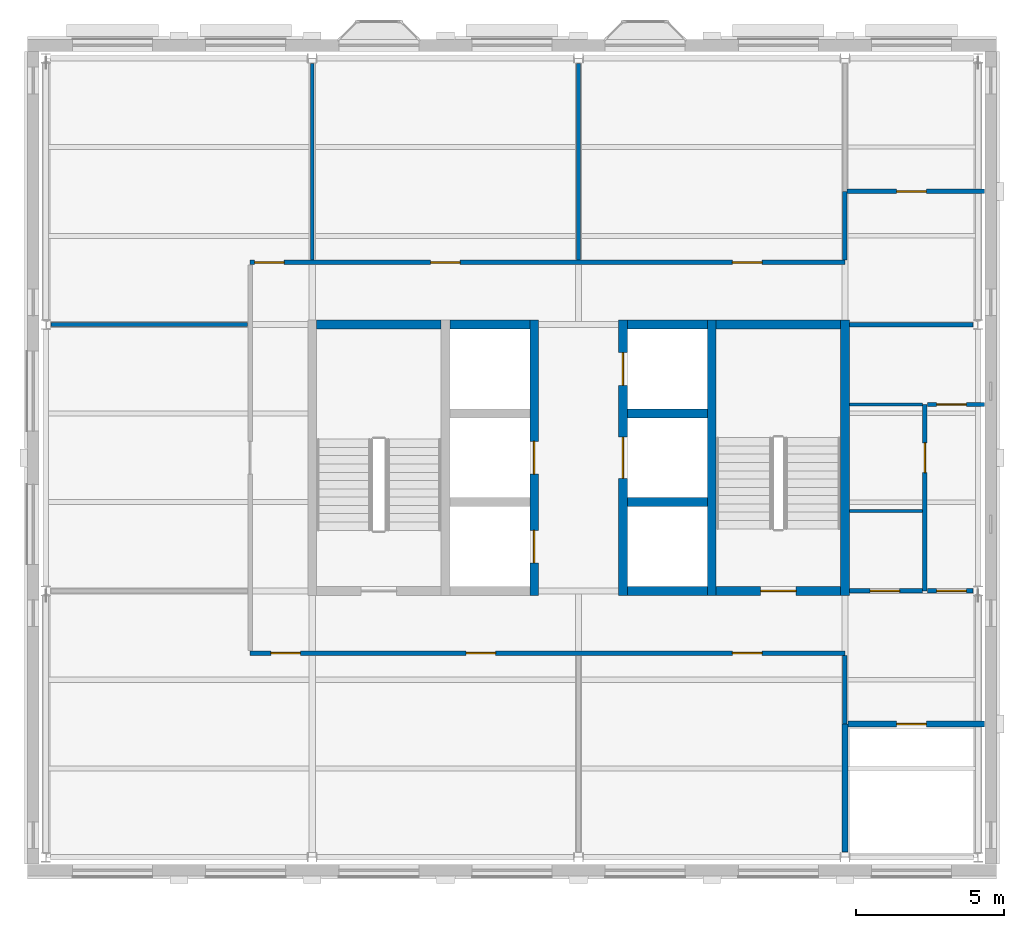
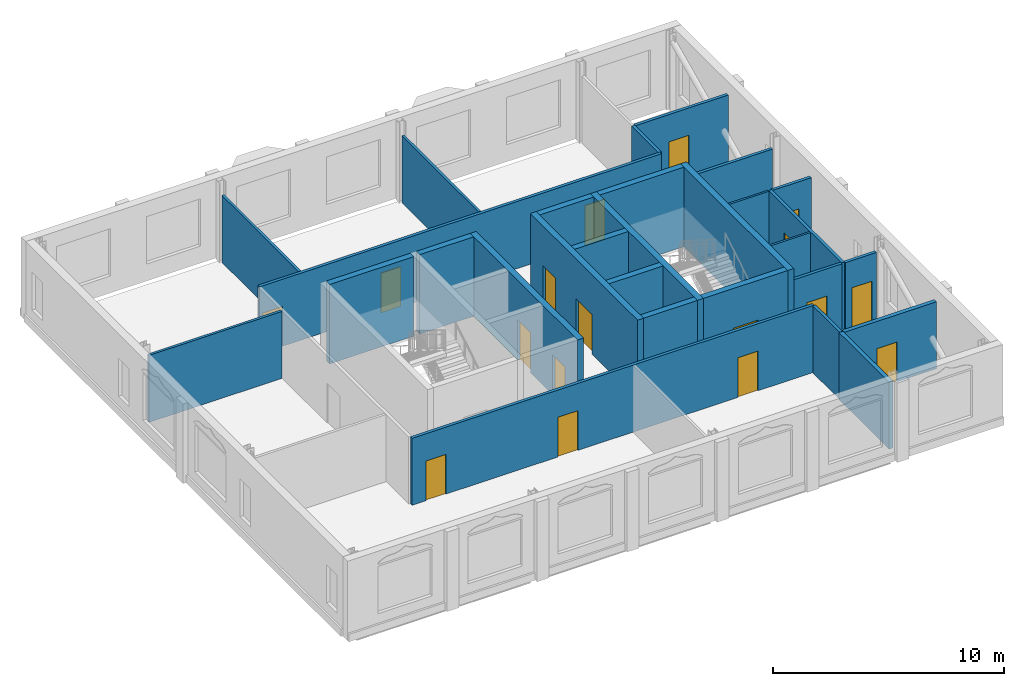
# One storey, part 4 of 9: 29 walls, 17 doors, 17 openings.
"""IFC4 building model written with IfcOpenShell, lengths in metres."""

from ifc_helpers import new_model, si_unit, direction, frame, frame_2d, origin, place, context, subcontext, project, spatial, rectangle, extrude, material, layer, layer_set, type_object, element, fill, save


model = new_model("IFC4")

# Units and contexts
model_context = context("Model", 3, precision=1e-05, world=origin(), true_north=direction((0.0, 1.0)))
body_context = subcontext(model_context, "Body", "Model", "MODEL_VIEW")
ifc_project = project(units=[si_unit("LENGTHUNIT", "METRE"), si_unit("AREAUNIT", "SQUARE_METRE"), si_unit("VOLUMEUNIT", "CUBIC_METRE"), si_unit("PLANEANGLEUNIT", "RADIAN"), si_unit("MASSUNIT", "GRAM", prefix="KILO")], contexts=[model_context])

# Site, building, storey
site_placement = place(None, origin())
site = spatial("IfcSite", under=ifc_project, at=site_placement, CompositionType="ELEMENT")
building_placement = place(site_placement, origin())
building = spatial("IfcBuilding", under=site, at=building_placement, Name="Hortulan Conservatory and Botanical Research Centre", CompositionType="ELEMENT")
storey_placement = place(building_placement, frame((0.0, 0.0, 48.60009765625)))
storey = spatial("IfcBuildingStorey", under=building, at=storey_placement, Name="L11", CompositionType="ELEMENT", Elevation=48.60009765625)

# Wall
ifc_material_1 = material(Name="Fire-rated plasterboard on steel studs", Category="steel")
ifc_layer_1 = layer(ifc_material_1, 0.199951171875)
ifc_layer_set_1 = layer_set([ifc_layer_1], Name="Compartment Partition 200")
wall_type_1 = type_object("IfcWallType", Name="Compartment Partition 200", PredefinedType="PARTITIONING", material=ifc_layer_set_1)
wall_1_placement = place(storey_placement, frame((27.0, 0.17041015625, 0.0), z_axis=(0.0, 0.0, 1.0), x_axis=(0.0, 1.0, 0.0)))
element("IfcWall", 1, at=wall_1_placement, inside=storey, type_object=wall_type_1, Name="Riser wall", PredefinedType="PARTITIONING", context=body_context, shape_type="SweptSolid", body=[
    extrude(rectangle(XDim=4.32958984375, YDim=0.199951171875, at=frame_2d((2.164794921875, 0.0))), origin(), (0.0, 0.0, 1.0), 3.5419921875),
])

# Wall, opening, door
wall_2_placement = place(storey_placement, frame((27.110107421875, 4.5, 0.0), z_axis=(0.0, 0.0, 1.0), x_axis=(1.0, 0.0, 0.0)))
wall_2 = element("IfcWall", 2, at=wall_2_placement, inside=storey, type_object=wall_type_1, Name="Riser wall", PredefinedType="PARTITIONING", context=body_context, shape_type="SweptSolid", body=[
    extrude(rectangle(XDim=4.60498046875, YDim=0.199951171875, at=frame_2d((2.302490234375, 0.0))), origin(), (0.0, 0.0, 1.0), 3.5419921875),
])
opening_1_placement = place(wall_2_placement, frame((1.639892578125, 0.0, 0.0)))
opening_1 = element("IfcOpeningElement", 3, at=opening_1_placement, cuts=wall_2, Name="Opening DT6", PredefinedType="OPENING", context=body_context, shape_type="SweptSolid", body=[
    extrude(rectangle(XDim=1.0, YDim=2.10009765625, at=frame_2d((0.5, 1.050048828125))), frame((0.0, 0.10986328125, 0.0), z_axis=(0.0, -1.0, 0.0), x_axis=(1.0, 0.0, 0.0)), (0.0, 0.0, 1.0), 0.219970703125),
])
ifc_material_2 = material(Name="Steel door leaf, insulated", Category="steel")
door_type_1 = type_object("IfcDoorType", Name="Fire Door 1000x2100 FRL -/120/30", OperationType="NOTDEFINED", PredefinedType="DOOR", material=ifc_material_2)
door_1_placement = place(opening_1_placement, frame((1.0, 0.0, 0.0), z_axis=(0.0, 0.0, 1.0), x_axis=(-1.0, 0.0, 0.0)))
door_1 = element("IfcDoor", 4, at=door_1_placement, inside=storey, type_object=door_type_1, Name="Door DT6 Services Riser", OperationType="SINGLE_SWING_LEFT", OverallHeight=2.10009765625, OverallWidth=1.0, PredefinedType="DOOR", context=body_context, shape_type="SweptSolid", body=[
    extrude(rectangle(XDim=1.0, YDim=2.10009765625, at=frame_2d((0.5, 1.050048828125))), frame((0.0, 0.02490234375, 0.0), z_axis=(0.0, -1.0, 0.0), x_axis=(1.0, 0.0, 0.0)), (0.0, 0.0, 1.0), 0.050048828125),
])
fill(opening_1, door_1)

# Wall, openings, doors
ifc_material_3 = material(Name="Concrete N40 (40 MPa, AS 3600)", Category="concrete")
ifc_layer_2 = layer(ifc_material_3, 0.300048828125)
ifc_layer_set_2 = layer_set([ifc_layer_2], Name="Core Wall 300 N40 FRL 240/120/120")
wall_type_2 = type_object("IfcWallType", Name="Core Wall 300 N40 FRL 240/120/120", PredefinedType="SHEAR", material=ifc_layer_set_2)
wall_3_placement = place(storey_placement, frame((16.5, 8.85009765625, 0.0), z_axis=(0.0, 0.0, 1.0), x_axis=(0.0, 1.0, 0.0)))
wall_3 = element("IfcWall", 5, at=wall_3_placement, inside=storey, type_object=wall_type_2, Name="Reinforced concrete shaft wall", PredefinedType="SHEAR", context=body_context, shape_type="SweptSolid", body=[
    extrude(rectangle(XDim=9.2998046875, YDim=0.300048828125, at=frame_2d((4.64990234375, 0.0))), origin(), (0.0, 0.0, 1.0), 4.199951171875),
])
opening_2_placement = place(wall_3_placement, frame((1.10009765625, 0.0, 0.0)))
opening_2 = element("IfcOpeningElement", 6, at=opening_2_placement, cuts=wall_3, Name="Opening LD1", PredefinedType="OPENING", context=body_context, shape_type="SweptSolid", body=[
    extrude(rectangle(XDim=1.10009765625, YDim=2.10009765625, at=frame_2d((0.550048828125, 1.050048828125))), frame((0.0, 0.159912109375, 0.0), z_axis=(0.0, -1.0, 0.0), x_axis=(1.0, 0.0, 0.0)), (0.0, 0.0, 1.0), 0.320068359375),
])
opening_3_placement = place(wall_3_placement, frame((4.10009765625, 0.0, 0.0)))
opening_3 = element("IfcOpeningElement", 7, at=opening_3_placement, cuts=wall_3, Name="Opening LD1", PredefinedType="OPENING", context=body_context, shape_type="SweptSolid", body=[
    extrude(rectangle(XDim=1.10009765625, YDim=2.10009765625, at=frame_2d((0.550048828125, 1.050048828125))), frame((0.0, 0.159912109375, 0.0), z_axis=(0.0, -1.0, 0.0), x_axis=(1.0, 0.0, 0.0)), (0.0, 0.0, 1.0), 0.320068359375),
])
ifc_material_4 = material(Name="Stainless steel door leaves in steel frame", Category="steel")
door_type_2 = type_object("IfcDoorType", Name="Lift Landing Door 1100x2100", OperationType="DOUBLE_DOOR_SLIDING", PredefinedType="DOOR", material=ifc_material_4)
door_2_placement = place(opening_2_placement, origin())
door_2 = element("IfcDoor", 8, at=door_2_placement, inside=storey, type_object=door_type_2, Name="Lift LP1 landing door L11", OperationType="DOUBLE_DOOR_SLIDING", OverallHeight=2.10009765625, OverallWidth=1.10009765625, PredefinedType="DOOR", context=body_context, shape_type="SweptSolid", body=[
    extrude(rectangle(XDim=1.10009765625, YDim=2.10009765625, at=frame_2d((0.550048828125, 1.050048828125))), frame((0.0, 0.02490234375, 0.0), z_axis=(0.0, -1.0, 0.0), x_axis=(1.0, 0.0, 0.0)), (0.0, 0.0, 1.0), 0.050048828125),
])
fill(opening_2, door_2)
door_3_placement = place(opening_3_placement, origin())
door_3 = element("IfcDoor", 9, at=door_3_placement, inside=storey, type_object=door_type_2, Name="Lift LP2 landing door L11", OperationType="DOUBLE_DOOR_SLIDING", OverallHeight=2.10009765625, OverallWidth=1.10009765625, PredefinedType="DOOR", context=body_context, shape_type="SweptSolid", body=[
    extrude(rectangle(XDim=1.10009765625, YDim=2.10009765625, at=frame_2d((0.550048828125, 1.050048828125))), frame((0.0, 0.02490234375, 0.0), z_axis=(0.0, -1.0, 0.0), x_axis=(1.0, 0.0, 0.0)), (0.0, 0.0, 1.0), 0.050048828125),
])
fill(opening_3, door_3)

wall_4_placement = place(storey_placement, frame((19.5, 8.85009765625, 0.0), z_axis=(0.0, 0.0, 1.0), x_axis=(0.0, 1.0, 0.0)))
wall_4 = element("IfcWall", 10, at=wall_4_placement, inside=storey, type_object=wall_type_2, Name="Reinforced concrete shaft wall", PredefinedType="SHEAR", context=body_context, shape_type="SweptSolid", body=[
    extrude(rectangle(XDim=9.2998046875, YDim=0.300048828125, at=frame_2d((4.64990234375, 0.0))), origin(), (0.0, 0.0, 1.0), 4.199951171875),
])
opening_4_placement = place(wall_4_placement, frame((3.949951171875, 0.0, 0.0)))
opening_4 = element("IfcOpeningElement", 11, at=opening_4_placement, cuts=wall_4, Name="Opening LD2", PredefinedType="OPENING", context=body_context, shape_type="SweptSolid", body=[
    extrude(rectangle(XDim=1.39990234375, YDim=2.10009765625, at=frame_2d((0.699951171875, 1.050048828125))), frame((0.0, 0.159912109375, 0.0), z_axis=(0.0, -1.0, 0.0), x_axis=(1.0, 0.0, 0.0)), (0.0, 0.0, 1.0), 0.320068359375),
])
opening_5_placement = place(wall_4_placement, frame((7.10009765625, 0.0, 0.0)))
opening_5 = element("IfcOpeningElement", 12, at=opening_5_placement, cuts=wall_4, Name="Opening LD1", PredefinedType="OPENING", context=body_context, shape_type="SweptSolid", body=[
    extrude(rectangle(XDim=1.10009765625, YDim=2.10009765625, at=frame_2d((0.550048828125, 1.050048828125))), frame((0.0, 0.159912109375, 0.0), z_axis=(0.0, -1.0, 0.0), x_axis=(1.0, 0.0, 0.0)), (0.0, 0.0, 1.0), 0.320068359375),
])
door_4_placement = place(opening_5_placement, origin())
door_4 = element("IfcDoor", 13, at=door_4_placement, inside=storey, type_object=door_type_2, Name="Lift LF1 landing door L11", OperationType="DOUBLE_DOOR_SLIDING", OverallHeight=2.10009765625, OverallWidth=1.10009765625, PredefinedType="DOOR", context=body_context, shape_type="SweptSolid", body=[
    extrude(rectangle(XDim=1.10009765625, YDim=2.10009765625, at=frame_2d((0.550048828125, 1.050048828125))), frame((0.0, 0.02490234375, 0.0), z_axis=(0.0, -1.0, 0.0), x_axis=(1.0, 0.0, 0.0)), (0.0, 0.0, 1.0), 0.050048828125),
])
fill(opening_5, door_4)
door_type_3 = type_object("IfcDoorType", Name="Lift Landing Door 1400x2100", OperationType="DOUBLE_DOOR_SLIDING", PredefinedType="DOOR", material=ifc_material_4)
door_5_placement = place(opening_4_placement, origin())
door_5 = element("IfcDoor", 14, at=door_5_placement, inside=storey, type_object=door_type_3, Name="Lift LG1 landing door L11", OperationType="DOUBLE_DOOR_SLIDING", OverallHeight=2.10009765625, OverallWidth=1.39990234375, PredefinedType="DOOR", context=body_context, shape_type="SweptSolid", body=[
    extrude(rectangle(XDim=1.39990234375, YDim=2.10009765625, at=frame_2d((0.699951171875, 1.050048828125))), frame((0.0, 0.02490234375, 0.0), z_axis=(0.0, -1.0, 0.0), x_axis=(1.0, 0.0, 0.0)), (0.0, 0.0, 1.0), 0.050048828125),
])
fill(opening_4, door_5)

# Walls
for number, where, z_axis, x_axis, name in (
    (15, (22.5, 8.85009765625, 0.0), (0.0, 0.0, 1.0), (0.0, 1.0, 0.0), "Reinforced concrete shaft wall"),
    (16, (27.0, 8.85009765625, 0.0), (0.0, 0.0, 1.0), (0.0, 1.0, 0.0), "Reinforced concrete shaft wall"),
):
    element("IfcWall", number, at=place(storey_placement, frame(where, z_axis=z_axis, x_axis=x_axis)), inside=storey, type_object=wall_type_2, Name=name, PredefinedType="SHEAR", context=body_context, shape_type="SweptSolid", body=[
        extrude(rectangle(XDim=9.2998046875, YDim=0.300048828125, at=frame_2d((4.64990234375, 0.0))), origin(), (0.0, 0.0, 1.0), 4.199951171875),
    ])
wall_5_placement = place(storey_placement, frame((19.64990234375, 9.0, 0.0), z_axis=(0.0, 0.0, 1.0), x_axis=(1.0, 0.0, 0.0)))
element("IfcWall", 17, at=wall_5_placement, inside=storey, type_object=wall_type_2, Name="Reinforced concrete shaft wall", PredefinedType="SHEAR", context=body_context, shape_type="SweptSolid", body=[
    extrude(rectangle(XDim=2.7001953125, YDim=0.300048828125, at=frame_2d((1.35009765625, 0.0))), origin(), (0.0, 0.0, 1.0), 4.199951171875),
])

# Wall, opening, door
wall_6_placement = place(storey_placement, frame((22.64990234375, 9.0, 0.0), z_axis=(0.0, 0.0, 1.0), x_axis=(1.0, 0.0, 0.0)))
wall_6 = element("IfcWall", 18, at=wall_6_placement, inside=storey, type_object=wall_type_2, Name="Reinforced concrete shaft wall", PredefinedType="SHEAR", context=body_context, shape_type="SweptSolid", body=[
    extrude(rectangle(XDim=4.2001953125, YDim=0.300048828125, at=frame_2d((2.10009765625, 0.0))), origin(), (0.0, 0.0, 1.0), 4.199951171875),
])
opening_6_placement = place(wall_6_placement, frame((1.5, 0.0, 0.0)))
opening_6 = element("IfcOpeningElement", 19, at=opening_6_placement, cuts=wall_6, Name="Opening DT5", PredefinedType="OPENING", context=body_context, shape_type="SweptSolid", body=[
    extrude(rectangle(XDim=1.199951171875, YDim=2.10009765625, at=frame_2d((0.60009765625, 1.050048828125))), frame((0.0, 0.159912109375, 0.0), z_axis=(0.0, -1.0, 0.0), x_axis=(1.0, 0.0, 0.0)), (0.0, 0.0, 1.0), 0.320068359375),
])
door_type_4 = type_object("IfcDoorType", Name="Stair Door 1200x2100 FRL -/120/30", OperationType="NOTDEFINED", PredefinedType="DOOR", material=ifc_material_2)
door_6_placement = place(opening_6_placement, origin())
door_6 = element("IfcDoor", 20, at=door_6_placement, inside=storey, type_object=door_type_4, Name="Door DT5 Exit Stair T2", OperationType="SINGLE_SWING_LEFT", OverallHeight=2.10009765625, OverallWidth=1.199951171875, PredefinedType="DOOR", context=body_context, shape_type="SweptSolid", body=[
    extrude(rectangle(XDim=1.199951171875, YDim=2.10009765625, at=frame_2d((0.60009765625, 1.050048828125))), frame((0.0, 0.02490234375, 0.0), z_axis=(0.0, -1.0, 0.0), x_axis=(1.0, 0.0, 0.0)), (0.0, 0.0, 1.0), 0.050048828125),
])
fill(opening_6, door_6)

# Walls
for number, where, z_axis, x_axis, name in (
    (21, (19.64990234375, 12.0, 0.0), (0.0, 0.0, 1.0), (1.0, 0.0, 0.0), "Reinforced concrete shaft wall"),
    (22, (19.64990234375, 15.0, 0.0), (0.0, 0.0, 1.0), (1.0, 0.0, 0.0), "Reinforced concrete shaft wall"),
):
    element("IfcWall", number, at=place(storey_placement, frame(where, z_axis=z_axis, x_axis=x_axis)), inside=storey, type_object=wall_type_2, Name=name, PredefinedType="SHEAR", context=body_context, shape_type="SweptSolid", body=[
        extrude(rectangle(XDim=2.7001953125, YDim=0.300048828125, at=frame_2d((1.35009765625, 0.0))), origin(), (0.0, 0.0, 1.0), 4.199951171875),
    ])
wall_7_placement = place(storey_placement, frame((9.14990234375, 18.0, 0.0), z_axis=(0.0, 0.0, 1.0), x_axis=(1.0, 0.0, 0.0)))
element("IfcWall", 23, at=wall_7_placement, inside=storey, type_object=wall_type_2, Name="Reinforced concrete shaft wall", PredefinedType="SHEAR", context=body_context, shape_type="SweptSolid", body=[
    extrude(rectangle(XDim=4.2001953125, YDim=0.300048828125, at=frame_2d((2.10009765625, 0.0))), origin(), (0.0, 0.0, 1.0), 4.199951171875),
])
for number, where, z_axis, x_axis, name in (
    (24, (13.64990234375, 18.0, 0.0), (0.0, 0.0, 1.0), (1.0, 0.0, 0.0), "Reinforced concrete shaft wall"),
    (25, (19.64990234375, 18.0, 0.0), (0.0, 0.0, 1.0), (1.0, 0.0, 0.0), "Reinforced concrete shaft wall"),
):
    element("IfcWall", number, at=place(storey_placement, frame(where, z_axis=z_axis, x_axis=x_axis)), inside=storey, type_object=wall_type_2, Name=name, PredefinedType="SHEAR", context=body_context, shape_type="SweptSolid", body=[
        extrude(rectangle(XDim=2.7001953125, YDim=0.300048828125, at=frame_2d((1.35009765625, 0.0))), origin(), (0.0, 0.0, 1.0), 4.199951171875),
    ])
wall_8_placement = place(storey_placement, frame((22.64990234375, 18.0, 0.0), z_axis=(0.0, 0.0, 1.0), x_axis=(1.0, 0.0, 0.0)))
element("IfcWall", 26, at=wall_8_placement, inside=storey, type_object=wall_type_2, Name="Reinforced concrete shaft wall", PredefinedType="SHEAR", context=body_context, shape_type="SweptSolid", body=[
    extrude(rectangle(XDim=4.2001953125, YDim=0.300048828125, at=frame_2d((2.10009765625, 0.0))), origin(), (0.0, 0.0, 1.0), 4.199951171875),
])
ifc_material_5 = material(Name="Plasterboard on steel studs", Category="steel")
ifc_layer_3 = layer(ifc_material_5, 0.14990234375)
ifc_layer_set_3 = layer_set([ifc_layer_3], Name="Corridor Partition 150")
wall_type_3 = type_object("IfcWallType", Name="Corridor Partition 150", PredefinedType="PARTITIONING", material=ifc_layer_set_3)
for number, where, z_axis, x_axis, name in (
    (27, (27.0, 4.510009765625, 0.0), (0.0, 0.0, 1.0), (0.0, 1.0, 0.0), "Corridor partition"),
    (28, (27.0, 20.18505859375, 0.0), (0.0, 0.0, 1.0), (0.0, 1.0, 0.0), "Corridor partition"),
):
    element("IfcWall", number, at=place(storey_placement, frame(where, z_axis=z_axis, x_axis=x_axis)), inside=storey, type_object=wall_type_3, Name=name, PredefinedType="PARTITIONING", context=body_context, shape_type="SweptSolid", body=[
        extrude(rectangle(XDim=2.304931640625, YDim=0.14990234375, at=frame_2d((1.15234375, 0.0))), origin(), (0.0, 0.0, 1.0), 3.5419921875),
    ])

# Wall, openings, doors
wall_9_placement = place(storey_placement, frame((6.89990234375, 6.89990234375, 0.0), z_axis=(0.0, 0.0, 1.0), x_axis=(1.0, 0.0, 0.0)))
wall_9 = element("IfcWall", 29, at=wall_9_placement, inside=storey, type_object=wall_type_3, Name="Corridor partition", PredefinedType="PARTITIONING", context=body_context, shape_type="SweptSolid", body=[
    extrude(rectangle(XDim=20.10009765625, YDim=0.14990234375, at=frame_2d((10.050048828125, 0.0))), origin(), (0.0, 0.0, 1.0), 3.5419921875),
])
opening_7_placement = place(wall_9_placement, frame((0.699951171875, 0.0, 0.0)))
opening_7 = element("IfcOpeningElement", 30, at=opening_7_placement, cuts=wall_9, Name="Opening DT1", PredefinedType="OPENING", context=body_context, shape_type="SweptSolid", body=[
    extrude(rectangle(XDim=1.0, YDim=2.10009765625, at=frame_2d((0.5, 1.050048828125))), frame((0.0, 0.0849609375, 0.0), z_axis=(0.0, -1.0, 0.0), x_axis=(1.0, 0.0, 0.0)), (0.0, 0.0, 1.0), 0.169921875),
])
opening_8_placement = place(wall_9_placement, frame((7.300048828125, 0.0, 0.0)))
opening_8 = element("IfcOpeningElement", 31, at=opening_8_placement, cuts=wall_9, Name="Opening DT1", PredefinedType="OPENING", context=body_context, shape_type="SweptSolid", body=[
    extrude(rectangle(XDim=1.0, YDim=2.10009765625, at=frame_2d((0.5, 1.050048828125))), frame((0.0, 0.0849609375, 0.0), z_axis=(0.0, -1.0, 0.0), x_axis=(1.0, 0.0, 0.0)), (0.0, 0.0, 1.0), 0.169921875),
])
opening_9_placement = place(wall_9_placement, frame((16.300048828125, 0.0, 0.0)))
opening_9 = element("IfcOpeningElement", 32, at=opening_9_placement, cuts=wall_9, Name="Opening DT1", PredefinedType="OPENING", context=body_context, shape_type="SweptSolid", body=[
    extrude(rectangle(XDim=1.0, YDim=2.10009765625, at=frame_2d((0.5, 1.050048828125))), frame((0.0, 0.0849609375, 0.0), z_axis=(0.0, -1.0, 0.0), x_axis=(1.0, 0.0, 0.0)), (0.0, 0.0, 1.0), 0.169921875),
])
ifc_material_6 = material(Name="Timber door leaf in timber frame", Category="wood")
door_type_5 = type_object("IfcDoorType", Name="Single Door 1000x2100", OperationType="NOTDEFINED", PredefinedType="DOOR", material=ifc_material_6)
door_7_placement = place(opening_7_placement, frame((1.0, 0.0, 0.0), z_axis=(0.0, 0.0, 1.0), x_axis=(-1.0, 0.0, 0.0)))
door_7 = element("IfcDoor", 33, at=door_7_placement, inside=storey, type_object=door_type_5, Name="Door DT1 Botanical Library Reading Room", OperationType="SINGLE_SWING_RIGHT", OverallHeight=2.10009765625, OverallWidth=1.0, PredefinedType="DOOR", context=body_context, shape_type="SweptSolid", body=[
    extrude(rectangle(XDim=1.0, YDim=2.10009765625, at=frame_2d((0.5, 1.050048828125))), frame((0.0, 0.02490234375, 0.0), z_axis=(0.0, -1.0, 0.0), x_axis=(1.0, 0.0, 0.0)), (0.0, 0.0, 1.0), 0.050048828125),
])
fill(opening_7, door_7)
door_8_placement = place(opening_8_placement, frame((1.0, 0.0, 0.0), z_axis=(0.0, 0.0, 1.0), x_axis=(-1.0, 0.0, 0.0)))
door_8 = element("IfcDoor", 34, at=door_8_placement, inside=storey, type_object=door_type_5, Name="Door DT1 Botanical Library Reading Room", OperationType="SINGLE_SWING_LEFT", OverallHeight=2.10009765625, OverallWidth=1.0, PredefinedType="DOOR", context=body_context, shape_type="SweptSolid", body=[
    extrude(rectangle(XDim=1.0, YDim=2.10009765625, at=frame_2d((0.5, 1.050048828125))), frame((0.0, 0.02490234375, 0.0), z_axis=(0.0, -1.0, 0.0), x_axis=(1.0, 0.0, 0.0)), (0.0, 0.0, 1.0), 0.050048828125),
])
fill(opening_8, door_8)
door_9_placement = place(opening_9_placement, frame((1.0, 0.0, 0.0), z_axis=(0.0, 0.0, 1.0), x_axis=(-1.0, 0.0, 0.0)))
door_9 = element("IfcDoor", 35, at=door_9_placement, inside=storey, type_object=door_type_5, Name="Door DT1 Library Stack Room", OperationType="SINGLE_SWING_RIGHT", OverallHeight=2.10009765625, OverallWidth=1.0, PredefinedType="DOOR", context=body_context, shape_type="SweptSolid", body=[
    extrude(rectangle(XDim=1.0, YDim=2.10009765625, at=frame_2d((0.5, 1.050048828125))), frame((0.0, 0.02490234375, 0.0), z_axis=(0.0, -1.0, 0.0), x_axis=(1.0, 0.0, 0.0)), (0.0, 0.0, 1.0), 0.050048828125),
])
fill(opening_9, door_9)

# Wall, opening, door
wall_10_placement = place(storey_placement, frame((27.159912109375, 9.0, 0.0), z_axis=(0.0, 0.0, 1.0), x_axis=(1.0, 0.0, 0.0)))
wall_10 = element("IfcWall", 36, at=wall_10_placement, inside=storey, type_object=wall_type_3, Name="Corridor partition", PredefinedType="PARTITIONING", context=body_context, shape_type="SweptSolid", body=[
    extrude(rectangle(XDim=2.455078125, YDim=0.14990234375, at=frame_2d((1.2275390625, 0.0))), origin(), (0.0, 0.0, 1.0), 3.5419921875),
])
opening_10_placement = place(wall_10_placement, frame((0.68994140625, 0.0, 0.0)))
opening_10 = element("IfcOpeningElement", 37, at=opening_10_placement, cuts=wall_10, Name="Opening DT1", PredefinedType="OPENING", context=body_context, shape_type="SweptSolid", body=[
    extrude(rectangle(XDim=1.0, YDim=2.10009765625, at=frame_2d((0.5, 1.050048828125))), frame((0.0, 0.0849609375, 0.0), z_axis=(0.0, -1.0, 0.0), x_axis=(1.0, 0.0, 0.0)), (0.0, 0.0, 1.0), 0.169921875),
])
door_10_placement = place(opening_10_placement, origin())
door_10 = element("IfcDoor", 38, at=door_10_placement, inside=storey, type_object=door_type_5, Name="Door DT1 Accessible WC", OperationType="SINGLE_SWING_RIGHT", OverallHeight=2.10009765625, OverallWidth=1.0, PredefinedType="DOOR", context=body_context, shape_type="SweptSolid", body=[
    extrude(rectangle(XDim=1.0, YDim=2.10009765625, at=frame_2d((0.5, 1.050048828125))), frame((0.0, 0.02490234375, 0.0), z_axis=(0.0, -1.0, 0.0), x_axis=(1.0, 0.0, 0.0)), (0.0, 0.0, 1.0), 0.050048828125),
])
fill(opening_10, door_10)

# Wall
wall_11_placement = place(storey_placement, frame((27.159912109375, 18.0, 0.0), z_axis=(0.0, 0.0, 1.0), x_axis=(1.0, 0.0, 0.0)))
element("IfcWall", 39, at=wall_11_placement, inside=storey, type_object=wall_type_3, Name="Corridor partition", PredefinedType="PARTITIONING", context=body_context, shape_type="SweptSolid", body=[
    extrude(rectangle(XDim=4.175537109375, YDim=0.14990234375, at=frame_2d((2.087890625, 0.0))), origin(), (0.0, 0.0, 1.0), 3.5419921875),
])

# Wall, openings, doors
wall_12_placement = place(storey_placement, frame((6.89990234375, 20.10009765625, 0.0), z_axis=(0.0, 0.0, 1.0), x_axis=(1.0, 0.0, 0.0)))
wall_12 = element("IfcWall", 40, at=wall_12_placement, inside=storey, type_object=wall_type_3, Name="Corridor partition", PredefinedType="PARTITIONING", context=body_context, shape_type="SweptSolid", body=[
    extrude(rectangle(XDim=20.10009765625, YDim=0.14990234375, at=frame_2d((10.050048828125, 0.0))), origin(), (0.0, 0.0, 1.0), 3.5419921875),
])
opening_11_placement = place(wall_12_placement, frame((0.14990234375, 0.0, 0.0)))
opening_11 = element("IfcOpeningElement", 41, at=opening_11_placement, cuts=wall_12, Name="Opening DT1", PredefinedType="OPENING", context=body_context, shape_type="SweptSolid", body=[
    extrude(rectangle(XDim=1.0, YDim=2.10009765625, at=frame_2d((0.5, 1.050048828125))), frame((0.0, 0.0849609375, 0.0), z_axis=(0.0, -1.0, 0.0), x_axis=(1.0, 0.0, 0.0)), (0.0, 0.0, 1.0), 0.169921875),
])
opening_12_placement = place(wall_12_placement, frame((6.10009765625, 0.0, 0.0)))
opening_12 = element("IfcOpeningElement", 42, at=opening_12_placement, cuts=wall_12, Name="Opening DT1", PredefinedType="OPENING", context=body_context, shape_type="SweptSolid", body=[
    extrude(rectangle(XDim=1.0, YDim=2.10009765625, at=frame_2d((0.5, 1.050048828125))), frame((0.0, 0.0849609375, 0.0), z_axis=(0.0, -1.0, 0.0), x_axis=(1.0, 0.0, 0.0)), (0.0, 0.0, 1.0), 0.169921875),
])
opening_13_placement = place(wall_12_placement, frame((16.300048828125, 0.0, 0.0)))
opening_13 = element("IfcOpeningElement", 43, at=opening_13_placement, cuts=wall_12, Name="Opening DT1", PredefinedType="OPENING", context=body_context, shape_type="SweptSolid", body=[
    extrude(rectangle(XDim=1.0, YDim=2.10009765625, at=frame_2d((0.5, 1.050048828125))), frame((0.0, 0.0849609375, 0.0), z_axis=(0.0, -1.0, 0.0), x_axis=(1.0, 0.0, 0.0)), (0.0, 0.0, 1.0), 0.169921875),
])
door_11_placement = place(opening_11_placement, origin())
door_11 = element("IfcDoor", 44, at=door_11_placement, inside=storey, type_object=door_type_5, Name="Door DT1 Rare Books Reading Room", OperationType="SINGLE_SWING_RIGHT", OverallHeight=2.10009765625, OverallWidth=1.0, PredefinedType="DOOR", context=body_context, shape_type="SweptSolid", body=[
    extrude(rectangle(XDim=1.0, YDim=2.10009765625, at=frame_2d((0.5, 1.050048828125))), frame((0.0, 0.02490234375, 0.0), z_axis=(0.0, -1.0, 0.0), x_axis=(1.0, 0.0, 0.0)), (0.0, 0.0, 1.0), 0.050048828125),
])
fill(opening_11, door_11)
door_12_placement = place(opening_12_placement, origin())
door_12 = element("IfcDoor", 45, at=door_12_placement, inside=storey, type_object=door_type_5, Name="Door DT1 Periodicals Room", OperationType="SINGLE_SWING_LEFT", OverallHeight=2.10009765625, OverallWidth=1.0, PredefinedType="DOOR", context=body_context, shape_type="SweptSolid", body=[
    extrude(rectangle(XDim=1.0, YDim=2.10009765625, at=frame_2d((0.5, 1.050048828125))), frame((0.0, 0.02490234375, 0.0), z_axis=(0.0, -1.0, 0.0), x_axis=(1.0, 0.0, 0.0)), (0.0, 0.0, 1.0), 0.050048828125),
])
fill(opening_12, door_12)
door_13_placement = place(opening_13_placement, origin())
door_13 = element("IfcDoor", 46, at=door_13_placement, inside=storey, type_object=door_type_5, Name="Door DT1 Botanical Archive Reading Room", OperationType="SINGLE_SWING_RIGHT", OverallHeight=2.10009765625, OverallWidth=1.0, PredefinedType="DOOR", context=body_context, shape_type="SweptSolid", body=[
    extrude(rectangle(XDim=1.0, YDim=2.10009765625, at=frame_2d((0.5, 1.050048828125))), frame((0.0, 0.02490234375, 0.0), z_axis=(0.0, -1.0, 0.0), x_axis=(1.0, 0.0, 0.0)), (0.0, 0.0, 1.0), 0.050048828125),
])
fill(opening_13, door_13)

# Wall, opening, door
wall_13_placement = place(storey_placement, frame((27.072509765625, 22.5, 0.0), z_axis=(0.0, 0.0, 1.0), x_axis=(1.0, 0.0, 0.0)))
wall_13 = element("IfcWall", 47, at=wall_13_placement, inside=storey, type_object=wall_type_3, Name="Corridor partition", PredefinedType="PARTITIONING", context=body_context, shape_type="SweptSolid", body=[
    extrude(rectangle(XDim=4.642578125, YDim=0.14990234375, at=frame_2d((2.3212890625, 0.0))), origin(), (0.0, 0.0, 1.0), 3.5419921875),
])
opening_14_placement = place(wall_13_placement, frame((1.677490234375, 0.0, 0.0)))
opening_14 = element("IfcOpeningElement", 48, at=opening_14_placement, cuts=wall_13, Name="Opening DT1", PredefinedType="OPENING", context=body_context, shape_type="SweptSolid", body=[
    extrude(rectangle(XDim=1.0, YDim=2.10009765625, at=frame_2d((0.5, 1.050048828125))), frame((0.0, 0.0849609375, 0.0), z_axis=(0.0, -1.0, 0.0), x_axis=(1.0, 0.0, 0.0)), (0.0, 0.0, 1.0), 0.169921875),
])
door_14_placement = place(opening_14_placement, origin())
door_14 = element("IfcDoor", 49, at=door_14_placement, inside=storey, type_object=door_type_5, Name="Door DT1 Library Office", OperationType="SINGLE_SWING_RIGHT", OverallHeight=2.10009765625, OverallWidth=1.0, PredefinedType="DOOR", context=body_context, shape_type="SweptSolid", body=[
    extrude(rectangle(XDim=1.0, YDim=2.10009765625, at=frame_2d((0.5, 1.050048828125))), frame((0.0, 0.02490234375, 0.0), z_axis=(0.0, -1.0, 0.0), x_axis=(1.0, 0.0, 0.0)), (0.0, 0.0, 1.0), 0.050048828125),
])
fill(opening_14, door_14)

ifc_layer_4 = layer(ifc_material_1, 0.14990234375)
ifc_layer_set_4 = layer_set([ifc_layer_4], Name="Lobby Partition 150")
wall_type_4 = type_object("IfcWallType", Name="Lobby Partition 150", PredefinedType="PARTITIONING", material=ifc_layer_set_4)
wall_14_placement = place(storey_placement, frame((29.699951171875, 9.0, 0.0), z_axis=(0.0, 0.0, 1.0), x_axis=(0.0, 1.0, 0.0)))
wall_14 = element("IfcWall", 50, at=wall_14_placement, inside=storey, type_object=wall_type_4, Name="Lobby partition", PredefinedType="PARTITIONING", context=body_context, shape_type="SweptSolid", body=[
    extrude(rectangle(XDim=6.300048828125, YDim=0.14990234375, at=frame_2d((3.14990234375, 0.0))), origin(), (0.0, 0.0, 1.0), 3.5419921875),
])
opening_15_placement = place(wall_14_placement, frame((4.0, 0.0, 0.0)))
opening_15 = element("IfcOpeningElement", 51, at=opening_15_placement, cuts=wall_14, Name="Opening DT4", PredefinedType="OPENING", context=body_context, shape_type="SweptSolid", body=[
    extrude(rectangle(XDim=1.0, YDim=2.10009765625, at=frame_2d((0.5, 1.050048828125))), frame((0.0, 0.0849609375, 0.0), z_axis=(0.0, -1.0, 0.0), x_axis=(1.0, 0.0, 0.0)), (0.0, 0.0, 1.0), 0.169921875),
])
door_type_6 = type_object("IfcDoorType", Name="Fire Door 1000x2100 FRL -/60/30", OperationType="NOTDEFINED", PredefinedType="DOOR", material=ifc_material_2)
door_15_placement = place(opening_15_placement, origin())
door_15 = element("IfcDoor", 52, at=door_15_placement, inside=storey, type_object=door_type_6, Name="Door DT4 Women's WC", OperationType="SINGLE_SWING_LEFT", OverallHeight=2.10009765625, OverallWidth=1.0, PredefinedType="DOOR", context=body_context, shape_type="SweptSolid", body=[
    extrude(rectangle(XDim=1.0, YDim=2.10009765625, at=frame_2d((0.5, 1.050048828125))), frame((0.0, 0.02490234375, 0.0), z_axis=(0.0, -1.0, 0.0), x_axis=(1.0, 0.0, 0.0)), (0.0, 0.0, 1.0), 0.050048828125),
])
fill(opening_15, door_15)

wall_15_placement = place(storey_placement, frame((29.784912109375, 9.0, 0.0), z_axis=(0.0, 0.0, 1.0), x_axis=(1.0, 0.0, 0.0)))
wall_15 = element("IfcWall", 53, at=wall_15_placement, inside=storey, type_object=wall_type_4, Name="Lobby partition", PredefinedType="PARTITIONING", context=body_context, shape_type="SweptSolid", body=[
    extrude(rectangle(XDim=1.550537109375, YDim=0.14990234375, at=frame_2d((0.775390625, 0.0))), origin(), (0.0, 0.0, 1.0), 3.5419921875),
])
opening_16_placement = place(wall_15_placement, frame((0.31494140625, 0.0, 0.0)))
opening_16 = element("IfcOpeningElement", 54, at=opening_16_placement, cuts=wall_15, Name="Opening DT4", PredefinedType="OPENING", context=body_context, shape_type="SweptSolid", body=[
    extrude(rectangle(XDim=1.0, YDim=2.10009765625, at=frame_2d((0.5, 1.050048828125))), frame((0.0, 0.0849609375, 0.0), z_axis=(0.0, -1.0, 0.0), x_axis=(1.0, 0.0, 0.0)), (0.0, 0.0, 1.0), 0.169921875),
])
door_16_placement = place(opening_16_placement, origin())
door_16 = element("IfcDoor", 55, at=door_16_placement, inside=storey, type_object=door_type_6, Name="Door DT4 WC Lobby", OperationType="SINGLE_SWING_LEFT", OverallHeight=2.10009765625, OverallWidth=1.0, PredefinedType="DOOR", context=body_context, shape_type="SweptSolid", body=[
    extrude(rectangle(XDim=1.0, YDim=2.10009765625, at=frame_2d((0.5, 1.050048828125))), frame((0.0, 0.02490234375, 0.0), z_axis=(0.0, -1.0, 0.0), x_axis=(1.0, 0.0, 0.0)), (0.0, 0.0, 1.0), 0.050048828125),
])
fill(opening_16, door_16)

wall_16_placement = place(storey_placement, frame((29.784912109375, 15.300048828125, 0.0), z_axis=(0.0, 0.0, 1.0), x_axis=(1.0, 0.0, 0.0)))
wall_16 = element("IfcWall", 56, at=wall_16_placement, inside=storey, type_object=wall_type_4, Name="Lobby partition", PredefinedType="PARTITIONING", context=body_context, shape_type="SweptSolid", body=[
    extrude(rectangle(XDim=1.93017578125, YDim=0.14990234375, at=frame_2d((0.965087890625, 0.0))), origin(), (0.0, 0.0, 1.0), 3.5419921875),
])
opening_17_placement = place(wall_16_placement, frame((0.31494140625, 0.0, 0.0)))
opening_17 = element("IfcOpeningElement", 57, at=opening_17_placement, cuts=wall_16, Name="Opening DT4", PredefinedType="OPENING", context=body_context, shape_type="SweptSolid", body=[
    extrude(rectangle(XDim=1.0, YDim=2.10009765625, at=frame_2d((0.5, 1.050048828125))), frame((0.0, 0.0849609375, 0.0), z_axis=(0.0, -1.0, 0.0), x_axis=(1.0, 0.0, 0.0)), (0.0, 0.0, 1.0), 0.169921875),
])
door_17_placement = place(opening_17_placement, origin())
door_17 = element("IfcDoor", 58, at=door_17_placement, inside=storey, type_object=door_type_6, Name="Door DT4 Men's WC", OperationType="SINGLE_SWING_RIGHT", OverallHeight=2.10009765625, OverallWidth=1.0, PredefinedType="DOOR", context=body_context, shape_type="SweptSolid", body=[
    extrude(rectangle(XDim=1.0, YDim=2.10009765625, at=frame_2d((0.5, 1.050048828125))), frame((0.0, 0.02490234375, 0.0), z_axis=(0.0, -1.0, 0.0), x_axis=(1.0, 0.0, 0.0)), (0.0, 0.0, 1.0), 0.050048828125),
])
fill(opening_17, door_17)

# Walls
ifc_layer_5 = layer(ifc_material_5, 0.125)
ifc_layer_set_5 = layer_set([ifc_layer_5], Name="Partition 125")
wall_type_5 = type_object("IfcWallType", Name="Partition 125", PredefinedType="PARTITIONING", material=ifc_layer_set_5)
for number, where, z_axis, x_axis, name in (
    (59, (9.0, 20.18505859375, 0.0), (0.0, 0.0, 1.0), (0.0, 1.0, 0.0), "Partition"),
    (60, (18.0, 20.18505859375, 0.0), (0.0, 0.0, 1.0), (0.0, 1.0, 0.0), "Partition"),
):
    element("IfcWall", number, at=place(storey_placement, frame(where, z_axis=z_axis, x_axis=x_axis)), inside=storey, type_object=wall_type_5, Name=name, PredefinedType="PARTITIONING", context=body_context, shape_type="SweptSolid", body=[
        extrude(rectangle(XDim=6.64453125, YDim=0.125, at=frame_2d((3.322265625, 0.0))), origin(), (0.0, 0.0, 1.0), 3.5419921875),
    ])
wall_17_placement = place(storey_placement, frame((0.16455078125, 18.0, 0.0), z_axis=(0.0, 0.0, 1.0), x_axis=(1.0, 0.0, 0.0)))
element("IfcWall", 61, at=wall_17_placement, inside=storey, type_object=wall_type_5, Name="Partition", PredefinedType="PARTITIONING", context=body_context, shape_type="SweptSolid", body=[
    extrude(rectangle(XDim=6.650390625, YDim=0.125, at=frame_2d((3.3251953125, 0.0))), origin(), (0.0, 0.0, 1.0), 3.5419921875),
])
ifc_material_7 = material(Name="Moisture-resistant plasterboard on steel studs", Category="steel")
ifc_layer_6 = layer(ifc_material_7, 0.10009765625)
ifc_layer_set_6 = layer_set([ifc_layer_6], Name="Wet Area Partition 100")
wall_type_6 = type_object("IfcWallType", Name="Wet Area Partition 100", PredefinedType="PARTITIONING", material=ifc_layer_set_6)
for number, where, z_axis, x_axis, name in (
    (62, (27.159912109375, 11.699951171875, 0.0), (0.0, 0.0, 1.0), (1.0, 0.0, 0.0), "Toilet partition"),
    (63, (27.159912109375, 15.300048828125, 0.0), (0.0, 0.0, 1.0), (1.0, 0.0, 0.0), "Toilet partition"),
):
    element("IfcWall", number, at=place(storey_placement, frame(where, z_axis=z_axis, x_axis=x_axis)), inside=storey, type_object=wall_type_6, Name=name, PredefinedType="PARTITIONING", context=body_context, shape_type="SweptSolid", body=[
        extrude(rectangle(XDim=2.455078125, YDim=0.10009765625, at=frame_2d((1.2275390625, 0.0))), origin(), (0.0, 0.0, 1.0), 3.5419921875),
    ])

save(model, "model.ifc")
